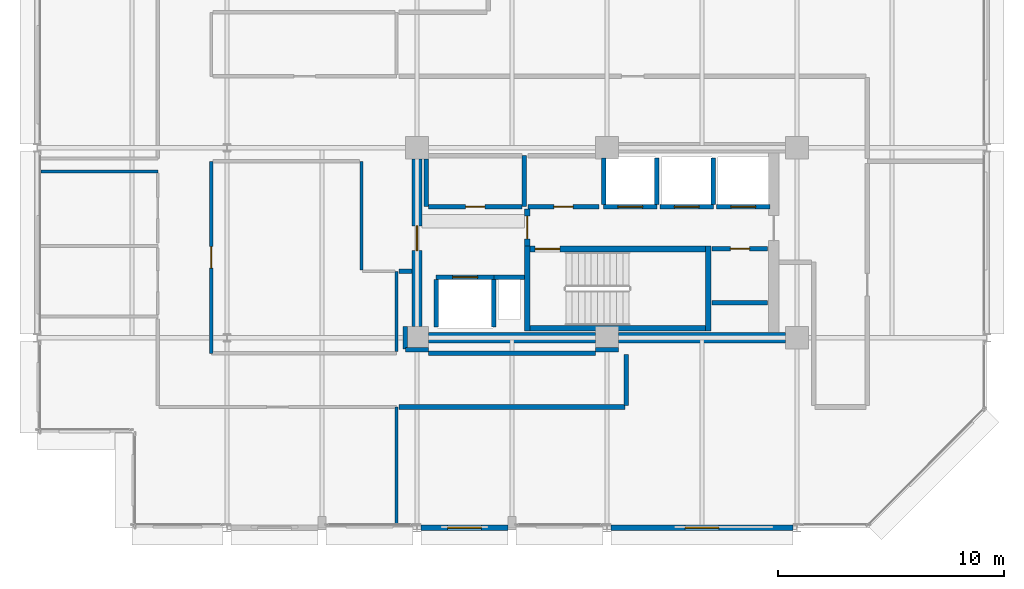
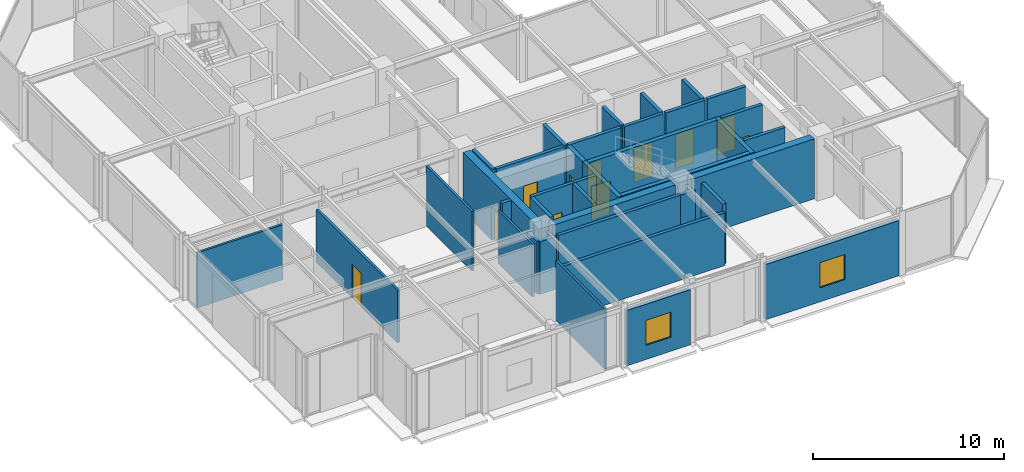
# One storey, part 20 of 26: 38 walls, 11 doors, 2 windows, 13 openings.
"""IFC4 building model written with IfcOpenShell, lengths in metres."""

from ifc_helpers import new_model, si_unit, direction, frame, frame_2d, origin, place, context, subcontext, project, spatial, rectangle, extrude, material, layer, layer_set, type_object, element, fill, save


model = new_model("IFC4")

# Units and contexts
model_context = context("Model", 3, precision=1e-05, world=origin(), true_north=direction((0.0, 1.0)))
body_context = subcontext(model_context, "Body", "Model", "MODEL_VIEW")
ifc_project = project(units=[si_unit("LENGTHUNIT", "METRE"), si_unit("AREAUNIT", "SQUARE_METRE"), si_unit("VOLUMEUNIT", "CUBIC_METRE"), si_unit("PLANEANGLEUNIT", "RADIAN"), si_unit("MASSUNIT", "GRAM", prefix="KILO")], contexts=[model_context])

# Site, building, storey
site_placement = place(None, origin())
site = spatial("IfcSite", under=ifc_project, at=site_placement, CompositionType="ELEMENT")
building_placement = place(site_placement, origin())
building = spatial("IfcBuilding", under=site, at=building_placement, Name="Nerrivon Quay Data Exchange", CompositionType="ELEMENT")
storey_placement = place(building_placement, frame((0.0, 0.0, 228.800048828125)))
storey = spatial("IfcBuildingStorey", under=building, at=storey_placement, Name="L54", CompositionType="ELEMENT", Elevation=228.800048828125)

# Wall, opening, window
ifc_material_1 = material(Name="Architectural terracotta precast concrete N50 (50 MPa)", Category="masonry")
ifc_layer_1 = layer(ifc_material_1, 0.239990234375)
ifc_layer_set_1 = layer_set([ifc_layer_1], Name="Architectural terracotta precast concrete N50 (50 MPa)")
wall_type_1 = type_object("IfcWallType", Name="EW-PREC-240", PredefinedType="STANDARD", material=ifc_layer_set_1)
wall_1_placement = place(storey_placement, frame((33.425048828125, 0.0, 0.0), z_axis=(0.0, 0.0, 1.0), x_axis=(-1.0, 0.0, 0.0)))
wall_1 = element("IfcWall", 1, at=wall_1_placement, inside=storey, type_object=wall_type_1, Name="L54 Podium Precast Spandrel Wall 3", PredefinedType="STANDARD", context=body_context, shape_type="SweptSolid", body=[
    extrude(rectangle(XDim=8.050048828125, YDim=0.239990234375, at=frame_2d((4.02490234375, 0.0))), origin(), (0.0, 0.0, 1.0), 3.52490234375),
])
opening_1_placement = place(wall_1_placement, frame((3.27490234375, 0.0, 0.89990234375)))
opening_1 = element("IfcOpeningElement", 2, at=opening_1_placement, cuts=wall_1, Name="Opening WN4", PredefinedType="OPENING", context=body_context, shape_type="SweptSolid", body=[
    extrude(rectangle(XDim=1.5, YDim=1.60009765625, at=frame_2d((0.75, 0.800048828125))), frame((0.0, 0.1298828125, 0.0), z_axis=(0.0, -1.0, 0.0), x_axis=(1.0, 0.0, 0.0)), (0.0, 0.0, 1.0), 0.260009765625),
])
ifc_material_2 = material(Name="Double-glazed low-E solar control glass", Category="glass")
window_type = type_object("IfcWindowType", Name="WIN-W4-1500x1600", PartitioningType="SINGLE_PANEL", PredefinedType="WINDOW", material=ifc_material_2)
window_1_placement = place(opening_1_placement, origin())
window_1 = element("IfcWindow", 3, at=window_1_placement, inside=storey, type_object=window_type, Name="L54 Solar Facade Window 3", OverallHeight=1.60009765625, OverallWidth=1.5, PartitioningType="SINGLE_PANEL", PredefinedType="WINDOW", context=body_context, shape_type="SweptSolid", body=[
    extrude(rectangle(XDim=1.5, YDim=1.60009765625, at=frame_2d((0.75, 0.800048828125))), frame((0.0, 0.030029296875, 0.0), z_axis=(0.0, -1.0, 0.0), x_axis=(1.0, 0.0, 0.0)), (0.0, 0.0, 1.0), 0.06005859375),
])
fill(opening_1, window_1)

wall_2_placement = place(storey_placement, frame((20.824951171875, 0.0, 0.0), z_axis=(0.0, 0.0, 1.0), x_axis=(-1.0, 0.0, 0.0)))
wall_2 = element("IfcWall", 4, at=wall_2_placement, inside=storey, type_object=wall_type_1, Name="L54 Podium Precast Spandrel Wall 5", PredefinedType="STANDARD", context=body_context, shape_type="SweptSolid", body=[
    extrude(rectangle(XDim=3.849853515625, YDim=0.239990234375, at=frame_2d((1.9248046875, 0.0))), origin(), (0.0, 0.0, 1.0), 3.52490234375),
])
opening_2_placement = place(wall_2_placement, frame((1.175048828125, 0.0, 0.89990234375)))
opening_2 = element("IfcOpeningElement", 5, at=opening_2_placement, cuts=wall_2, Name="Opening WN4", PredefinedType="OPENING", context=body_context, shape_type="SweptSolid", body=[
    extrude(rectangle(XDim=1.5, YDim=1.60009765625, at=frame_2d((0.75, 0.800048828125))), frame((0.0, 0.1298828125, 0.0), z_axis=(0.0, -1.0, 0.0), x_axis=(1.0, 0.0, 0.0)), (0.0, 0.0, 1.0), 0.260009765625),
])
window_2_placement = place(opening_2_placement, origin())
window_2 = element("IfcWindow", 6, at=window_2_placement, inside=storey, type_object=window_type, Name="L54 Solar Facade Window 5", OverallHeight=1.60009765625, OverallWidth=1.5, PartitioningType="SINGLE_PANEL", PredefinedType="WINDOW", context=body_context, shape_type="SweptSolid", body=[
    extrude(rectangle(XDim=1.5, YDim=1.60009765625, at=frame_2d((0.75, 0.800048828125))), frame((0.0, 0.030029296875, 0.0), z_axis=(0.0, -1.0, 0.0), x_axis=(1.0, 0.0, 0.0)), (0.0, 0.0, 1.0), 0.06005859375),
])
fill(opening_2, window_2)

# Walls
ifc_material_3 = material(Name="Concrete N50 (50 MPa)", Category="concrete")
ifc_layer_2 = layer(ifc_material_3, 0.449951171875)
ifc_layer_set_2 = layer_set([ifc_layer_2], Name="Concrete N50 (50 MPa)")
wall_type_2 = type_object("IfcWallType", Name="WALL-CW-550", PredefinedType="SHEAR", material=ifc_layer_set_2)
wall_3_placement = place(storey_placement, frame((17.300048828125, 8.39990234375, 0.0), z_axis=(0.0, 0.0, 1.0), x_axis=(1.0, 0.0, 0.0)))
element("IfcWall", 7, at=wall_3_placement, inside=storey, type_object=wall_type_2, Name="L54 East Split-Core Shear Wall ECW-S1", PredefinedType="SHEAR", context=body_context, shape_type="SweptSolid", body=[
    extrude(rectangle(XDim=7.39990234375, YDim=0.449951171875, at=frame_2d((3.699951171875, 0.0))), origin(), (0.0, 0.0, 1.0), 3.824951171875),
])
wall_4_placement = place(storey_placement, frame((25.699951171875, 8.39990234375, 0.0), z_axis=(0.0, 0.0, 1.0), x_axis=(1.0, 0.0, 0.0)))
element("IfcWall", 8, at=wall_4_placement, inside=storey, type_object=wall_type_2, Name="L54 East Split-Core Shear Wall ECW-S2", PredefinedType="SHEAR", context=body_context, shape_type="SweptSolid", body=[
    extrude(rectangle(XDim=7.400146484375, YDim=0.449951171875, at=frame_2d((3.7001953125, 0.0))), origin(), (0.0, 0.0, 1.0), 3.824951171875),
])

# Wall, opening, door
wall_5_placement = place(storey_placement, frame((16.800048828125, 8.89990234375, 0.0), z_axis=(0.0, 0.0, 1.0), x_axis=(0.0, 1.0, 0.0)))
wall_5 = element("IfcWall", 9, at=wall_5_placement, inside=storey, type_object=wall_type_2, Name="L54 East Split-Core Shear Wall ECW-W1", PredefinedType="SHEAR", context=body_context, shape_type="SweptSolid", body=[
    extrude(rectangle(XDim=7.400146484375, YDim=0.449951171875, at=frame_2d((3.7001953125, 0.0))), origin(), (0.0, 0.0, 1.0), 3.824951171875),
])
opening_3_placement = place(wall_5_placement, frame((3.35009765625, 0.0, 0.0)))
opening_3 = element("IfcOpeningElement", 10, at=opening_3_placement, cuts=wall_5, Name="Opening FD-120", PredefinedType="OPENING", context=body_context, shape_type="SweptSolid", body=[
    extrude(rectangle(XDim=1.10009765625, YDim=2.14990234375, at=frame_2d((0.550048828125, 1.074951171875))), frame((0.0, 0.23486328125, 0.0), z_axis=(0.0, -1.0, 0.0), x_axis=(1.0, 0.0, 0.0)), (0.0, 0.0, 1.0), 0.469970703125),
])
ifc_material_4 = material(Name="Powder-coated galvanized steel sheet", Category="steel")
door_type_1 = type_object("IfcDoorType", Name="DR-FD120-1100", OperationType="NOTDEFINED", PredefinedType="DOOR", material=ifc_material_4)
door_1_placement = place(opening_3_placement, origin())
door_1 = element("IfcDoor", 11, at=door_1_placement, inside=storey, type_object=door_type_1, Name="L54 East Core Lobby Fire Door", OperationType="SINGLE_SWING_LEFT", OverallHeight=2.14990234375, OverallWidth=1.10009765625, PredefinedType="DOOR", context=body_context, shape_type="SweptSolid", body=[
    extrude(rectangle(XDim=1.10009765625, YDim=2.14990234375, at=frame_2d((0.550048828125, 1.074951171875))), frame((0.0, 0.02490234375, 0.0), z_axis=(0.0, -1.0, 0.0), x_axis=(1.0, 0.0, 0.0)), (0.0, 0.0, 1.0), 0.050048828125),
])
fill(opening_3, door_1)

# Wall
ifc_material_5 = material(Name="Gypsum plasterboard on cold-formed framing", Category="gypsum")
ifc_layer_3 = layer(ifc_material_5, 0.199951171875)
ifc_layer_set_3 = layer_set([ifc_layer_3], Name="Gypsum plasterboard on cold-formed framing")
wall_type_3 = type_object("IfcWallType", Name="WALL-FW-200", PredefinedType="PARTITIONING", material=ifc_layer_set_3)
wall_6_placement = place(storey_placement, frame((20.199951171875, 11.080078125, 0.0), z_axis=(0.0, 0.0, 1.0), x_axis=(1.0, 0.0, 0.0)))
element("IfcWall", 12, at=wall_6_placement, inside=storey, type_object=wall_type_3, Name="L54 East Core MEP Riser Shaft Wall N", PredefinedType="PARTITIONING", context=body_context, shape_type="SweptSolid", body=[
    extrude(rectangle(XDim=1.35009765625, YDim=0.199951171875, at=frame_2d((0.675048828125, 0.0))), origin(), (0.0, 0.0, 1.0), 3.824951171875),
])

# Wall, opening, door
wall_7_placement = place(storey_placement, frame((17.64990234375, 11.080078125, 0.0), z_axis=(0.0, 0.0, 1.0), x_axis=(1.0, 0.0, 0.0)))
wall_7 = element("IfcWall", 13, at=wall_7_placement, inside=storey, type_object=wall_type_3, Name="L54 Lift Front Wall FFL-2", PredefinedType="PARTITIONING", context=body_context, shape_type="SweptSolid", body=[
    extrude(rectangle(XDim=2.550048828125, YDim=0.199951171875, at=frame_2d((1.27490234375, 0.0))), origin(), (0.0, 0.0, 1.0), 3.824951171875),
])
opening_4_placement = place(wall_7_placement, frame((0.72509765625, 0.0, 0.0)))
opening_4 = element("IfcOpeningElement", 14, at=opening_4_placement, cuts=wall_7, Name="Opening LD-120", PredefinedType="OPENING", context=body_context, shape_type="SweptSolid", body=[
    extrude(rectangle(XDim=1.10009765625, YDim=2.199951171875, at=frame_2d((0.550048828125, 1.10009765625))), frame((0.0, 0.10986328125, 0.0), z_axis=(0.0, -1.0, 0.0), x_axis=(1.0, 0.0, 0.0)), (0.0, 0.0, 1.0), 0.219970703125),
])
door_type_2 = type_object("IfcDoorType", Name="DR-LIFT-LD120", OperationType="DOUBLE_DOOR_SLIDING", PredefinedType="DOOR", material=ifc_material_4)
door_2_placement = place(opening_4_placement, origin())
door_2 = element("IfcDoor", 15, at=door_2_placement, inside=storey, type_object=door_type_2, Name="L54 Lift Landing Sliding Door FFL-2", OperationType="DOUBLE_DOOR_SLIDING", OverallHeight=2.199951171875, OverallWidth=1.10009765625, PredefinedType="DOOR", context=body_context, shape_type="SweptSolid", body=[
    extrude(rectangle(XDim=1.10009765625, YDim=2.199951171875, at=frame_2d((0.550048828125, 1.10009765625))), frame((0.0, 0.02490234375, 0.0), z_axis=(0.0, -1.0, 0.0), x_axis=(1.0, 0.0, 0.0)), (0.0, 0.0, 1.0), 0.050048828125),
])
fill(opening_4, door_2)

# Walls
for number, where, z_axis, x_axis, name in (
    (16, (20.199951171875, 8.8798828125, 0.0), (0.0, 0.0, 1.0), (0.0, 1.0, 0.0), "L54 Lift Shaft Wall FFL-2 EAST"),
    (17, (17.64990234375, 8.8798828125, 0.0), (0.0, 0.0, 1.0), (0.0, 1.0, 0.0), "L54 Lift Shaft Wall FFL-2 WEST"),
):
    element("IfcWall", number, at=place(storey_placement, frame(where, z_axis=z_axis, x_axis=x_axis)), inside=storey, type_object=wall_type_3, Name=name, PredefinedType="PARTITIONING", context=body_context, shape_type="SweptSolid", body=[
        extrude(rectangle(XDim=2.10009765625, YDim=0.199951171875, at=frame_2d((1.050048828125, 0.0))), origin(), (0.0, 0.0, 1.0), 3.824951171875),
    ])

# Wall, opening, door
wall_8_placement = place(storey_placement, frame((25.050048828125, 14.199951171875, 0.0), z_axis=(0.0, 0.0, 1.0), x_axis=(1.0, 0.0, 0.0)))
wall_8 = element("IfcWall", 18, at=wall_8_placement, inside=storey, type_object=wall_type_3, Name="L54 Lift Front Wall PL7", PredefinedType="PARTITIONING", context=body_context, shape_type="SweptSolid", body=[
    extrude(rectangle(XDim=2.349853515625, YDim=0.199951171875, at=frame_2d((1.1748046875, 0.0))), origin(), (0.0, 0.0, 1.0), 3.824951171875),
])
opening_5_placement = place(wall_8_placement, frame((0.625, 0.0, 0.0)))
opening_5 = element("IfcOpeningElement", 19, at=opening_5_placement, cuts=wall_8, Name="Opening LD-120", PredefinedType="OPENING", context=body_context, shape_type="SweptSolid", body=[
    extrude(rectangle(XDim=1.10009765625, YDim=2.199951171875, at=frame_2d((0.550048828125, 1.10009765625))), frame((0.0, 0.10986328125, 0.0), z_axis=(0.0, -1.0, 0.0), x_axis=(1.0, 0.0, 0.0)), (0.0, 0.0, 1.0), 0.219970703125),
])
door_3_placement = place(opening_5_placement, origin())
door_3 = element("IfcDoor", 20, at=door_3_placement, inside=storey, type_object=door_type_2, Name="L54 Lift Landing Sliding Door PL7", OperationType="DOUBLE_DOOR_SLIDING", OverallHeight=2.199951171875, OverallWidth=1.10009765625, PredefinedType="DOOR", context=body_context, shape_type="SweptSolid", body=[
    extrude(rectangle(XDim=1.10009765625, YDim=2.199951171875, at=frame_2d((0.550048828125, 1.10009765625))), frame((0.0, 0.02490234375, 0.0), z_axis=(0.0, -1.0, 0.0), x_axis=(1.0, 0.0, 0.0)), (0.0, 0.0, 1.0), 0.050048828125),
])
fill(opening_5, door_3)

# Walls
for number, where, z_axis, x_axis, name in (
    (21, (27.39990234375, 14.300048828125, 0.0), (0.0, 0.0, 1.0), (0.0, 1.0, 0.0), "L54 Lift Shaft Wall PL7 EAST"),
    (22, (25.050048828125, 14.300048828125, 0.0), (0.0, 0.0, 1.0), (0.0, 1.0, 0.0), "L54 Lift Shaft Wall PL7 WEST"),
):
    element("IfcWall", number, at=place(storey_placement, frame(where, z_axis=z_axis, x_axis=x_axis)), inside=storey, type_object=wall_type_3, Name=name, PredefinedType="PARTITIONING", context=body_context, shape_type="SweptSolid", body=[
        extrude(rectangle(XDim=2.050048828125, YDim=0.199951171875, at=frame_2d((1.02490234375, 0.0))), origin(), (0.0, 0.0, 1.0), 3.824951171875),
    ])

# Wall, opening, door
wall_9_placement = place(storey_placement, frame((27.550048828125, 14.199951171875, 0.0), z_axis=(0.0, 0.0, 1.0), x_axis=(1.0, 0.0, 0.0)))
wall_9 = element("IfcWall", 23, at=wall_9_placement, inside=storey, type_object=wall_type_3, Name="L54 Lift Front Wall PL8", PredefinedType="PARTITIONING", context=body_context, shape_type="SweptSolid", body=[
    extrude(rectangle(XDim=2.349853515625, YDim=0.199951171875, at=frame_2d((1.1748046875, 0.0))), origin(), (0.0, 0.0, 1.0), 3.824951171875),
])
opening_6_placement = place(wall_9_placement, frame((0.625, 0.0, 0.0)))
opening_6 = element("IfcOpeningElement", 24, at=opening_6_placement, cuts=wall_9, Name="Opening LD-120", PredefinedType="OPENING", context=body_context, shape_type="SweptSolid", body=[
    extrude(rectangle(XDim=1.10009765625, YDim=2.199951171875, at=frame_2d((0.550048828125, 1.10009765625))), frame((0.0, 0.10986328125, 0.0), z_axis=(0.0, -1.0, 0.0), x_axis=(1.0, 0.0, 0.0)), (0.0, 0.0, 1.0), 0.219970703125),
])
door_4_placement = place(opening_6_placement, origin())
door_4 = element("IfcDoor", 25, at=door_4_placement, inside=storey, type_object=door_type_2, Name="L54 Lift Landing Sliding Door PL8", OperationType="DOUBLE_DOOR_SLIDING", OverallHeight=2.199951171875, OverallWidth=1.10009765625, PredefinedType="DOOR", context=body_context, shape_type="SweptSolid", body=[
    extrude(rectangle(XDim=1.10009765625, YDim=2.199951171875, at=frame_2d((0.550048828125, 1.10009765625))), frame((0.0, 0.02490234375, 0.0), z_axis=(0.0, -1.0, 0.0), x_axis=(1.0, 0.0, 0.0)), (0.0, 0.0, 1.0), 0.050048828125),
])
fill(opening_6, door_4)

# Wall
wall_10_placement = place(storey_placement, frame((29.89990234375, 14.300048828125, 0.0), z_axis=(0.0, 0.0, 1.0), x_axis=(0.0, 1.0, 0.0)))
element("IfcWall", 26, at=wall_10_placement, inside=storey, type_object=wall_type_3, Name="L54 Lift Shaft Wall PL8 EAST", PredefinedType="PARTITIONING", context=body_context, shape_type="SweptSolid", body=[
    extrude(rectangle(XDim=2.050048828125, YDim=0.199951171875, at=frame_2d((1.02490234375, 0.0))), origin(), (0.0, 0.0, 1.0), 3.824951171875),
])

# Wall, opening, door
wall_11_placement = place(storey_placement, frame((30.050048828125, 14.199951171875, 0.0), z_axis=(0.0, 0.0, 1.0), x_axis=(1.0, 0.0, 0.0)))
wall_11 = element("IfcWall", 27, at=wall_11_placement, inside=storey, type_object=wall_type_3, Name="L54 Lift Front Wall PL9", PredefinedType="PARTITIONING", context=body_context, shape_type="SweptSolid", body=[
    extrude(rectangle(XDim=2.349853515625, YDim=0.199951171875, at=frame_2d((1.1748046875, 0.0))), origin(), (0.0, 0.0, 1.0), 3.824951171875),
])
opening_7_placement = place(wall_11_placement, frame((0.625, 0.0, 0.0)))
opening_7 = element("IfcOpeningElement", 28, at=opening_7_placement, cuts=wall_11, Name="Opening LD-120", PredefinedType="OPENING", context=body_context, shape_type="SweptSolid", body=[
    extrude(rectangle(XDim=1.10009765625, YDim=2.199951171875, at=frame_2d((0.550048828125, 1.10009765625))), frame((0.0, 0.10986328125, 0.0), z_axis=(0.0, -1.0, 0.0), x_axis=(1.0, 0.0, 0.0)), (0.0, 0.0, 1.0), 0.219970703125),
])
door_5_placement = place(opening_7_placement, origin())
door_5 = element("IfcDoor", 29, at=door_5_placement, inside=storey, type_object=door_type_2, Name="L54 Lift Landing Sliding Door PL9", OperationType="DOUBLE_DOOR_SLIDING", OverallHeight=2.199951171875, OverallWidth=1.10009765625, PredefinedType="DOOR", context=body_context, shape_type="SweptSolid", body=[
    extrude(rectangle(XDim=1.10009765625, YDim=2.199951171875, at=frame_2d((0.550048828125, 1.10009765625))), frame((0.0, 0.02490234375, 0.0), z_axis=(0.0, -1.0, 0.0), x_axis=(1.0, 0.0, 0.0)), (0.0, 0.0, 1.0), 0.050048828125),
])
fill(opening_7, door_5)

# Walls
wall_12_placement = place(storey_placement, frame((21.550048828125, 14.199951171875, 0.0), z_axis=(0.0, 0.0, 1.0), x_axis=(0.0, 1.0, 0.0)))
element("IfcWall", 30, at=wall_12_placement, inside=storey, type_object=wall_type_3, Name="L54 Partition High-Zone Calibration Store", PredefinedType="PARTITIONING", context=body_context, shape_type="SweptSolid", body=[
    extrude(rectangle(XDim=2.25, YDim=0.199951171875, at=frame_2d((1.125, 0.0))), origin(), (0.0, 0.0, 1.0), 3.824951171875),
])
wall_13_placement = place(storey_placement, frame((17.199951171875, 16.294921875, 0.0), z_axis=(0.0, 0.0, 1.0), x_axis=(0.0, -1.0, 0.0)))
element("IfcWall", 31, at=wall_13_placement, inside=storey, type_object=wall_type_3, Name="L54 Partition High-Zone Calibration Store", PredefinedType="PARTITIONING", context=body_context, shape_type="SweptSolid", body=[
    extrude(rectangle(XDim=2.094970703125, YDim=0.199951171875, at=frame_2d((1.04736328125, 0.0))), origin(), (0.0, 0.0, 1.0), 3.824951171875),
])

# Wall, opening, door
wall_14_placement = place(storey_placement, frame((17.303955078125, 14.199951171875, 0.0), z_axis=(0.0, 0.0, 1.0), x_axis=(1.0, 0.0, 0.0)))
wall_14 = element("IfcWall", 32, at=wall_14_placement, inside=storey, type_object=wall_type_3, Name="L54 Partition High-Zone Calibration Store", PredefinedType="PARTITIONING", context=body_context, shape_type="SweptSolid", body=[
    extrude(rectangle(XDim=4.14208984375, YDim=0.199951171875, at=frame_2d((2.071044921875, 0.0))), origin(), (0.0, 0.0, 1.0), 3.824951171875),
])
opening_8_placement = place(wall_14_placement, frame((1.64599609375, 0.0, 0.0)))
opening_8 = element("IfcOpeningElement", 33, at=opening_8_placement, cuts=wall_14, Name="Opening FD-60S", PredefinedType="OPENING", context=body_context, shape_type="SweptSolid", body=[
    extrude(rectangle(XDim=0.85009765625, YDim=2.14990234375, at=frame_2d((0.425048828125, 1.074951171875))), frame((0.0, 0.10986328125, 0.0), z_axis=(0.0, -1.0, 0.0), x_axis=(1.0, 0.0, 0.0)), (0.0, 0.0, 1.0), 0.219970703125),
])
ifc_material_6 = material(Name="Engineered hardwood timber", Category="wood")
door_type_3 = type_object("IfcDoorType", Name="DR-FD60-850", OperationType="NOTDEFINED", PredefinedType="DOOR", material=ifc_material_6)
door_6_placement = place(opening_8_placement, origin())
door_6 = element("IfcDoor", 34, at=door_6_placement, inside=storey, type_object=door_type_3, Name="L54 Door High-Zone Calibration Store", OperationType="SINGLE_SWING_RIGHT", OverallHeight=2.14990234375, OverallWidth=0.85009765625, PredefinedType="DOOR", context=body_context, shape_type="SweptSolid", body=[
    extrude(rectangle(XDim=0.85009765625, YDim=2.14990234375, at=frame_2d((0.425048828125, 1.074951171875))), frame((0.0, 0.02490234375, 0.0), z_axis=(0.0, -1.0, 0.0), x_axis=(1.0, 0.0, 0.0)), (0.0, 0.0, 1.0), 0.050048828125),
])
fill(opening_8, door_6)

wall_15_placement = place(storey_placement, frame((21.699951171875, 14.199951171875, 0.0), z_axis=(0.0, 0.0, 1.0), x_axis=(1.0, 0.0, 0.0)))
wall_15 = element("IfcWall", 35, at=wall_15_placement, inside=storey, type_object=wall_type_3, Name="L54 Partition High-Zone Network Closet", PredefinedType="PARTITIONING", context=body_context, shape_type="SweptSolid", body=[
    extrude(rectangle(XDim=3.150146484375, YDim=0.199951171875, at=frame_2d((1.5751953125, 0.0))), origin(), (0.0, 0.0, 1.0), 3.824951171875),
])
opening_9_placement = place(wall_15_placement, frame((1.14990234375, 0.0, 0.0)))
opening_9 = element("IfcOpeningElement", 36, at=opening_9_placement, cuts=wall_15, Name="Opening FD-60S", PredefinedType="OPENING", context=body_context, shape_type="SweptSolid", body=[
    extrude(rectangle(XDim=0.85009765625, YDim=2.14990234375, at=frame_2d((0.425048828125, 1.074951171875))), frame((0.0, 0.10986328125, 0.0), z_axis=(0.0, -1.0, 0.0), x_axis=(1.0, 0.0, 0.0)), (0.0, 0.0, 1.0), 0.219970703125),
])
door_7_placement = place(opening_9_placement, origin())
door_7 = element("IfcDoor", 37, at=door_7_placement, inside=storey, type_object=door_type_3, Name="L54 Door High-Zone Network Closet", OperationType="SINGLE_SWING_LEFT", OverallHeight=2.14990234375, OverallWidth=0.85009765625, PredefinedType="DOOR", context=body_context, shape_type="SweptSolid", body=[
    extrude(rectangle(XDim=0.85009765625, YDim=2.14990234375, at=frame_2d((0.425048828125, 1.074951171875))), frame((0.0, 0.02490234375, 0.0), z_axis=(0.0, -1.0, 0.0), x_axis=(1.0, 0.0, 0.0)), (0.0, 0.0, 1.0), 0.050048828125),
])
fill(opening_9, door_7)

wall_16_placement = place(storey_placement, frame((32.300048828125, 12.330078125, 0.0), z_axis=(0.0, 0.0, 1.0), x_axis=(-1.0, 0.0, 0.0)))
wall_16 = element("IfcWall", 38, at=wall_16_placement, inside=storey, type_object=wall_type_3, Name="L54 Partition East Supply Store", PredefinedType="PARTITIONING", context=body_context, shape_type="SweptSolid", body=[
    extrude(rectangle(XDim=2.449951171875, YDim=0.199951171875, at=frame_2d((1.22509765625, 0.0))), origin(), (0.0, 0.0, 1.0), 3.824951171875),
])
opening_10_placement = place(wall_16_placement, frame((0.800048828125, 0.0, 0.0)))
opening_10 = element("IfcOpeningElement", 39, at=opening_10_placement, cuts=wall_16, Name="Opening FD-60S", PredefinedType="OPENING", context=body_context, shape_type="SweptSolid", body=[
    extrude(rectangle(XDim=0.85009765625, YDim=2.14990234375, at=frame_2d((0.425048828125, 1.074951171875))), frame((0.0, 0.10986328125, 0.0), z_axis=(0.0, -1.0, 0.0), x_axis=(1.0, 0.0, 0.0)), (0.0, 0.0, 1.0), 0.219970703125),
])
door_8_placement = place(opening_10_placement, origin())
door_8 = element("IfcDoor", 40, at=door_8_placement, inside=storey, type_object=door_type_3, Name="L54 Door East Supply Store", OperationType="SINGLE_SWING_RIGHT", OverallHeight=2.14990234375, OverallWidth=0.85009765625, PredefinedType="DOOR", context=body_context, shape_type="SweptSolid", body=[
    extrude(rectangle(XDim=0.85009765625, YDim=2.14990234375, at=frame_2d((0.425048828125, 1.074951171875))), frame((0.0, 0.02490234375, 0.0), z_axis=(0.0, -1.0, 0.0), x_axis=(1.0, 0.0, 0.0)), (0.0, 0.0, 1.0), 0.050048828125),
])
fill(opening_10, door_8)

# Walls
wall_17_placement = place(storey_placement, frame((29.85009765625, 9.949951171875, 0.0), z_axis=(0.0, 0.0, 1.0), x_axis=(1.0, 0.0, 0.0)))
element("IfcWall", 41, at=wall_17_placement, inside=storey, type_object=wall_type_3, Name="L54 Partition East Supply Store", PredefinedType="PARTITIONING", context=body_context, shape_type="SweptSolid", body=[
    extrude(rectangle(XDim=2.449951171875, YDim=0.199951171875, at=frame_2d((1.22509765625, 0.0))), origin(), (0.0, 0.0, 1.0), 3.824951171875),
])
wall_18_placement = place(storey_placement, frame((26.0, 5.340087890625, 0.0), z_axis=(0.0, 0.0, 1.0), x_axis=(-1.0, 0.0, 0.0)))
element("IfcWall", 42, at=wall_18_placement, inside=storey, type_object=wall_type_3, Name="L54 Partition Colocation Data Workspace 1", PredefinedType="PARTITIONING", context=body_context, shape_type="SweptSolid", body=[
    extrude(rectangle(XDim=9.9853515625, YDim=0.199951171875, at=frame_2d((4.99267578125, 0.0))), origin(), (0.0, 0.0, 1.0), 3.370849609375),
])
wall_19_placement = place(storey_placement, frame((25.699951171875, 7.8798828125, 0.0), z_axis=(0.0, 0.0, 1.0), x_axis=(-0.999999528702, 0.000970873329, 0.0)))
element("IfcWall", 43, at=wall_19_placement, inside=storey, type_object=wall_type_3, Name="L54 Partition Colocation Data Workspace 1", PredefinedType="PARTITIONING", context=body_context, shape_type="SweptSolid", body=[
    extrude(rectangle(XDim=1.005859375, YDim=0.199951171875, at=frame_2d((0.5029296875, 0.0))), origin(), (0.0, 0.0, 1.0), 3.370849609375),
])
wall_20_placement = place(storey_placement, frame((17.305908203125, 7.880859375, 0.0), z_axis=(0.0, 0.0, 1.0), x_axis=(-1.0, 0.0, 0.0)))
element("IfcWall", 44, at=wall_20_placement, inside=storey, type_object=wall_type_3, Name="L54 Partition Colocation Data Workspace 1", PredefinedType="PARTITIONING", context=body_context, shape_type="SweptSolid", body=[
    extrude(rectangle(XDim=1.01171875, YDim=0.199951171875, at=frame_2d((0.505859375, 0.0))), origin(), (0.0, 0.0, 1.0), 3.370849609375),
])
wall_21_placement = place(storey_placement, frame((16.280029296875, 7.89990234375, 0.0), z_axis=(0.0, 0.0, 1.0), x_axis=(0.000970873329, 0.999999528702, 0.0)))
element("IfcWall", 45, at=wall_21_placement, inside=storey, type_object=wall_type_3, Name="L54 Partition Colocation Data Workspace 1", PredefinedType="PARTITIONING", context=body_context, shape_type="SweptSolid", body=[
    extrude(rectangle(XDim=1.005859375, YDim=0.199951171875, at=frame_2d((0.5029296875, 0.0))), origin(), (0.0, 0.0, 1.0), 3.364990234375),
])
wall_22_placement = place(storey_placement, frame((16.571044921875, 11.340087890625, 0.0), z_axis=(0.0, 0.0, 1.0), x_axis=(-1.0, 0.0, 0.0)))
element("IfcWall", 46, at=wall_22_placement, inside=storey, type_object=wall_type_3, Name="L54 Partition Colocation Data Workspace 1", PredefinedType="PARTITIONING", context=body_context, shape_type="SweptSolid", body=[
    extrude(rectangle(XDim=0.556396484375, YDim=0.199951171875, at=frame_2d((0.2783203125, 0.0))), origin(), (0.0, 0.0, 1.0), 3.824951171875),
])
wall_23_placement = place(storey_placement, frame((17.305908203125, 7.7099609375, 0.0), z_axis=(0.0, 0.0, 1.0), x_axis=(0.999999999454, -3.3044743e-05, 0.0)))
element("IfcWall", 47, at=wall_23_placement, inside=storey, type_object=wall_type_3, Name="L54 Partition Colocation Data Workspace 1", PredefinedType="PARTITIONING", context=body_context, shape_type="SweptSolid", body=[
    extrude(rectangle(XDim=7.38818359375, YDim=0.199951171875, at=frame_2d((3.694091796875, 0.0))), origin(), (0.0, 0.0, 1.0), 3.51806640625),
])
wall_24_placement = place(storey_placement, frame((26.06005859375, 7.64990234375, 0.0), z_axis=(0.0, 0.0, 1.0), x_axis=(0.0, -1.0, 0.0)))
element("IfcWall", 48, at=wall_24_placement, inside=storey, type_object=wall_type_3, Name="L54 Partition Colocation Data Workspace 1", PredefinedType="PARTITIONING", context=body_context, shape_type="SweptSolid", body=[
    extrude(rectangle(XDim=2.25, YDim=0.199951171875, at=frame_2d((1.125, 0.0))), origin(), (0.0, 0.0, 1.0), 3.824951171875),
])
ifc_layer_4 = layer(ifc_material_5, 0.135009765625)
ifc_layer_set_4 = layer_set([ifc_layer_4], Name="Gypsum plasterboard on cold-formed framing")
wall_type_4 = type_object("IfcWallType", Name="WALL-PT-135", PredefinedType="PARTITIONING", material=ifc_layer_set_4)
wall_25_placement = place(storey_placement, frame((5.340087890625, 15.75, 0.0), z_axis=(0.0, 0.0, 1.0), x_axis=(-1.0, 0.0, 0.0)))
element("IfcWall", 49, at=wall_25_placement, inside=storey, type_object=wall_type_4, Name="L54 Partition Public Washrooms", PredefinedType="PARTITIONING", context=body_context, shape_type="SweptSolid", body=[
    extrude(rectangle(XDim=5.171142578125, YDim=0.135009765625, at=frame_2d((2.58544921875, 0.0))), origin(), (0.0, 0.0, 1.0), 3.51806640625),
])
wall_26_placement = place(storey_placement, frame((15.89453125, 7.788818359375, 0.0), z_axis=(0.0, 0.0, 1.0), x_axis=(0.0, 1.0, 0.0)))
element("IfcWall", 50, at=wall_26_placement, inside=storey, type_object=wall_type_4, Name="L54 Partition Engineers Lounge", PredefinedType="PARTITIONING", context=body_context, shape_type="SweptSolid", body=[
    extrude(rectangle(XDim=3.55126953125, YDim=0.135009765625, at=frame_2d((1.775634765625, 0.0))), origin(), (0.0, 0.0, 1.0), 3.364990234375),
])
wall_27_placement = place(storey_placement, frame((14.340087890625, 11.39990234375, 0.0), z_axis=(0.0, 0.0, 1.0), x_axis=(0.0, 1.0, 0.0)))
element("IfcWall", 51, at=wall_27_placement, inside=storey, type_object=wall_type_4, Name="L54 Partition Engineers Lounge", PredefinedType="PARTITIONING", context=body_context, shape_type="SweptSolid", body=[
    extrude(rectangle(XDim=4.80078125, YDim=0.135009765625, at=frame_2d((2.400390625, 0.0))), origin(), (0.0, 0.0, 1.0), 3.824951171875),
])
wall_28_placement = place(storey_placement, frame((15.89453125, 0.1689453125, 0.0), z_axis=(0.0, 0.0, 1.0), x_axis=(0.0, 1.0, 0.0)))
element("IfcWall", 52, at=wall_28_placement, inside=storey, type_object=wall_type_4, Name="L54 Partition Peering Day Lounge", PredefinedType="PARTITIONING", context=body_context, shape_type="SweptSolid", body=[
    extrude(rectangle(XDim=5.171142578125, YDim=0.135009765625, at=frame_2d((2.58544921875, 0.0))), origin(), (0.0, 0.0, 1.0), 3.824951171875),
])

# Wall, opening, door
ifc_layer_5 = layer(ifc_material_5, 0.14990234375)
ifc_layer_set_5 = layer_set([ifc_layer_5], Name="Gypsum plasterboard on cold-formed framing")
wall_type_5 = type_object("IfcWallType", Name="WALL-PT-150", PredefinedType="PARTITIONING", material=ifc_layer_set_5)
wall_29_placement = place(storey_placement, frame((7.7099609375, 16.20068359375, 0.0), z_axis=(0.0, 0.0, 1.0), x_axis=(0.0, -1.0, 0.0)))
wall_29 = element("IfcWall", 53, at=wall_29_placement, inside=storey, type_object=wall_type_5, Name="L54 Partition Engineers Lounge", PredefinedType="PARTITIONING", context=body_context, shape_type="SweptSolid", body=[
    extrude(rectangle(XDim=8.49072265625, YDim=0.14990234375, at=frame_2d((4.245361328125, 0.0))), origin(), (0.0, 0.0, 1.0), 3.364990234375),
])
opening_11_placement = place(wall_29_placement, frame((3.7705078125, 0.0, 0.0)))
opening_11 = element("IfcOpeningElement", 54, at=opening_11_placement, cuts=wall_29, Name="Opening D-01", PredefinedType="OPENING", context=body_context, shape_type="SweptSolid", body=[
    extrude(rectangle(XDim=0.949951171875, YDim=2.14990234375, at=frame_2d((0.47509765625, 1.074951171875))), frame((0.0, 0.0849609375, 0.0), z_axis=(0.0, -1.0, 0.0), x_axis=(1.0, 0.0, 0.0)), (0.0, 0.0, 1.0), 0.169921875),
])
door_type_4 = type_object("IfcDoorType", Name="DR-INT-950", OperationType="NOTDEFINED", PredefinedType="DOOR", material=ifc_material_6)
door_9_placement = place(opening_11_placement, origin())
door_9 = element("IfcDoor", 55, at=door_9_placement, inside=storey, type_object=door_type_4, Name="L54 Door Engineers Lounge", OperationType="SINGLE_SWING_RIGHT", OverallHeight=2.14990234375, OverallWidth=0.949951171875, PredefinedType="DOOR", context=body_context, shape_type="SweptSolid", body=[
    extrude(rectangle(XDim=0.949951171875, YDim=2.14990234375, at=frame_2d((0.47509765625, 1.074951171875))), frame((0.0, 0.02490234375, 0.0), z_axis=(0.0, -1.0, 0.0), x_axis=(1.0, 0.0, 0.0)), (0.0, 0.0, 1.0), 0.050048828125),
])
fill(opening_11, door_9)

# Walls
ifc_layer_6 = layer(ifc_material_3, 0.25)
ifc_layer_set_6 = layer_set([ifc_layer_6], Name="Concrete N50 (50 MPa)")
wall_type_6 = type_object("IfcWallType", Name="WALL-SW-250", PredefinedType="SHEAR", material=ifc_layer_set_6)
for number, where, z_axis, x_axis, name in (
    (56, (21.675048828125, 8.699951171875, 0.0), (0.0, 0.0, 1.0), (0.0, 1.0, 0.0), "L54 ST02 Structural Stair Core Wall NEAR"),
    (57, (29.675048828125, 8.699951171875, 0.0), (0.0, 0.0, 1.0), (0.0, 1.0, 0.0), "L54 ST02 Structural Stair Core Wall FAR"),
):
    element("IfcWall", number, at=place(storey_placement, frame(where, z_axis=z_axis, x_axis=x_axis)), inside=storey, type_object=wall_type_6, Name=name, PredefinedType="SHEAR", context=body_context, shape_type="SweptSolid", body=[
        extrude(rectangle(XDim=3.75, YDim=0.25, at=frame_2d((1.875, 0.0))), origin(), (0.0, 0.0, 1.0), 3.824951171875),
    ])
wall_30_placement = place(storey_placement, frame((21.800048828125, 8.824951171875, 0.0), z_axis=(0.0, 0.0, 1.0), x_axis=(1.0, 0.0, 0.0)))
element("IfcWall", 58, at=wall_30_placement, inside=storey, type_object=wall_type_6, Name="L54 ST02 Structural Stair Core Wall LEFT", PredefinedType="SHEAR", context=body_context, shape_type="SweptSolid", body=[
    extrude(rectangle(XDim=7.75, YDim=0.25, at=frame_2d((3.875, 0.0))), origin(), (0.0, 0.0, 1.0), 3.824951171875),
])

# Wall, opening, door
wall_31_placement = place(storey_placement, frame((21.800048828125, 12.324951171875, 0.0), z_axis=(0.0, 0.0, 1.0), x_axis=(1.0, 0.0, 0.0)))
wall_31 = element("IfcWall", 59, at=wall_31_placement, inside=storey, type_object=wall_type_6, Name="L54 ST02 Structural Stair Core Wall RIGHT", PredefinedType="SHEAR", context=body_context, shape_type="SweptSolid", body=[
    extrude(rectangle(XDim=7.75, YDim=0.25, at=frame_2d((3.875, 0.0))), origin(), (0.0, 0.0, 1.0), 3.824951171875),
])
opening_12_placement = place(wall_31_placement, frame((0.219970703125, 0.0, 0.0)))
opening_12 = element("IfcOpeningElement", 60, at=opening_12_placement, cuts=wall_31, Name="Opening FD-120", PredefinedType="OPENING", context=body_context, shape_type="SweptSolid", body=[
    extrude(rectangle(XDim=1.10009765625, YDim=2.14990234375, at=frame_2d((0.550048828125, 1.074951171875))), frame((0.0, 0.135009765625, 0.0), z_axis=(0.0, -1.0, 0.0), x_axis=(1.0, 0.0, 0.0)), (0.0, 0.0, 1.0), 0.27001953125),
])
door_10_placement = place(opening_12_placement, origin())
door_10 = element("IfcDoor", 61, at=door_10_placement, inside=storey, type_object=door_type_1, Name="L54 Protected Stair Door ST02", OperationType="SINGLE_SWING_LEFT", OverallHeight=2.14990234375, OverallWidth=1.10009765625, PredefinedType="DOOR", context=body_context, shape_type="SweptSolid", body=[
    extrude(rectangle(XDim=1.10009765625, YDim=2.14990234375, at=frame_2d((0.550048828125, 1.074951171875))), frame((0.0, 0.02490234375, 0.0), z_axis=(0.0, -1.0, 0.0), x_axis=(1.0, 0.0, 0.0)), (0.0, 0.0, 1.0), 0.050048828125),
])
fill(opening_12, door_10)

wall_32_placement = place(storey_placement, frame((21.679931640625, 12.449951171875, 0.0), z_axis=(0.0, 0.0, 1.0), x_axis=(0.0, 1.0, 0.0)))
wall_32 = element("IfcWall", 62, at=wall_32_placement, inside=storey, type_object=wall_type_6, Name="L54 East Firefighting Lobby Wall", PredefinedType="SHEAR", context=body_context, shape_type="SweptSolid", body=[
    extrude(rectangle(XDim=1.650146484375, YDim=0.25, at=frame_2d((0.8251953125, 0.0))), origin(), (0.0, 0.0, 1.0), 3.824951171875),
])
opening_13_placement = place(wall_32_placement, frame((0.324951171875, 0.0, 0.0)))
opening_13 = element("IfcOpeningElement", 63, at=opening_13_placement, cuts=wall_32, Name="Opening FD-60", PredefinedType="OPENING", context=body_context, shape_type="SweptSolid", body=[
    extrude(rectangle(XDim=1.0, YDim=2.14990234375, at=frame_2d((0.5, 1.074951171875))), frame((0.0, 0.135009765625, 0.0), z_axis=(0.0, -1.0, 0.0), x_axis=(1.0, 0.0, 0.0)), (0.0, 0.0, 1.0), 0.27001953125),
])
door_type_5 = type_object("IfcDoorType", Name="DR-FD60-1000", OperationType="NOTDEFINED", PredefinedType="DOOR", material=ifc_material_6)
door_11_placement = place(opening_13_placement, origin())
door_11 = element("IfcDoor", 64, at=door_11_placement, inside=storey, type_object=door_type_5, Name="L54 East Firefighting Lobby Fire Door", OperationType="SINGLE_SWING_LEFT", OverallHeight=2.14990234375, OverallWidth=1.0, PredefinedType="DOOR", context=body_context, shape_type="SweptSolid", body=[
    extrude(rectangle(XDim=1.0, YDim=2.14990234375, at=frame_2d((0.5, 1.074951171875))), frame((0.0, 0.02490234375, 0.0), z_axis=(0.0, -1.0, 0.0), x_axis=(1.0, 0.0, 0.0)), (0.0, 0.0, 1.0), 0.050048828125),
])
fill(opening_13, door_11)

save(model, "model.ifc")
